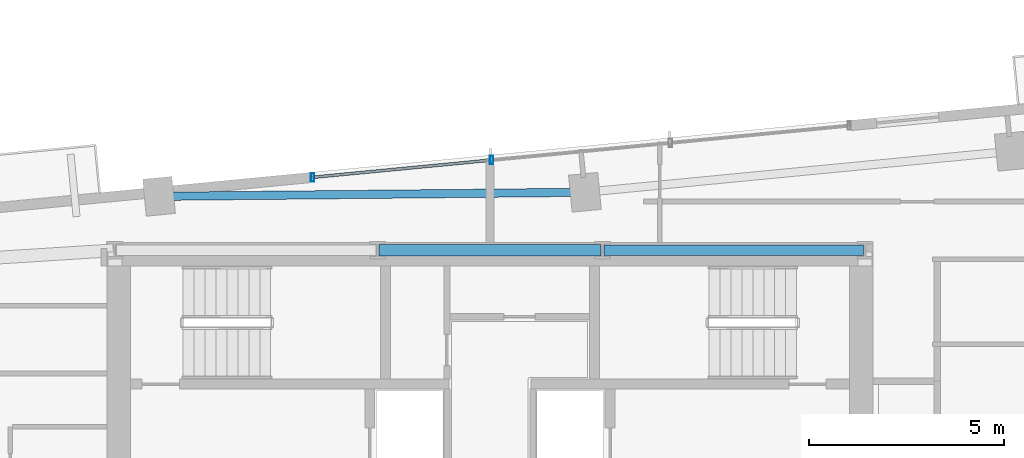
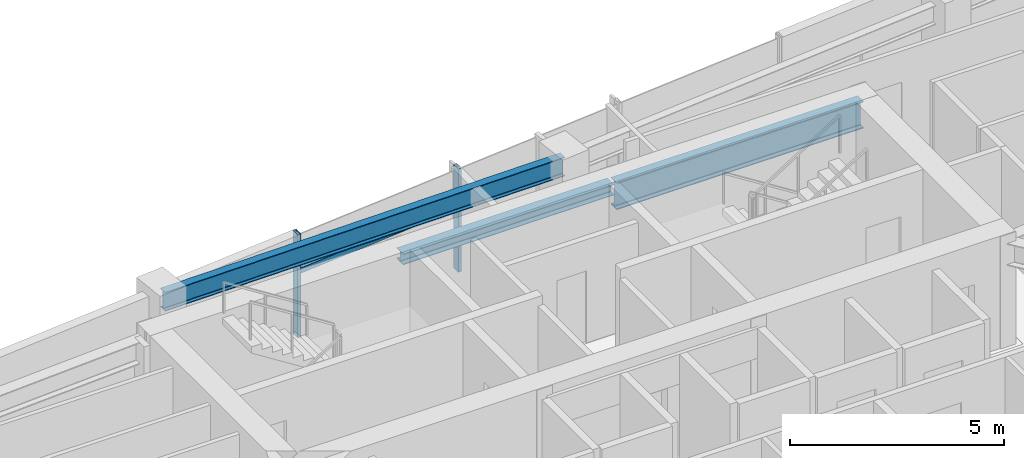
# One storey, part 6 of 18: 3 beams, 3 members, 1 element without a shape of its own.
"""IFC4 building model written with IfcOpenShell, lengths in metres."""

from ifc_helpers import new_model, si_unit, direction, frame, origin, origin_2d, place, context, subcontext, project, spatial, hollow_rectangle, i_section, extrude, source, transform, mapped, material, material_profile, profile_set, type_object, type_shapes, element, aggregate, save


model = new_model("IFC4")

# Units and contexts
model_context = context("Model", 3, precision=1e-05, world=origin(), true_north=direction((0.0, 1.0)))
body_context = subcontext(model_context, "Body", "Model", "MODEL_VIEW")
ifc_project = project(units=[si_unit("LENGTHUNIT", "METRE"), si_unit("AREAUNIT", "SQUARE_METRE"), si_unit("VOLUMEUNIT", "CUBIC_METRE"), si_unit("PLANEANGLEUNIT", "RADIAN"), si_unit("MASSUNIT", "GRAM", prefix="KILO")], contexts=[model_context])

# Site, building, storey
site_placement = place(None, origin())
site = spatial("IfcSite", under=ifc_project, at=site_placement, CompositionType="ELEMENT")
building_placement = place(site_placement, origin())
building = spatial("IfcBuilding", under=site, at=building_placement, Name="Astriad Promenade Condominiums", CompositionType="ELEMENT")
storey_placement = place(building_placement, frame((0.0, 0.0, 185.800048828125)))
storey = spatial("IfcBuildingStorey", under=building, at=storey_placement, Name="L53", CompositionType="ELEMENT", Elevation=185.800048828125)

# Beams
ifc_material_1 = material(Name="Steel ASTM A992 Grade 50", Category="steel")
ifc_material_profile_1 = material_profile(ifc_material_1, i_section(OverallWidth=0.267822265625, OverallDepth=0.76953125, WebThickness=0.015625, FlangeThickness=0.025390625, FilletRadius=0.021484375, at=origin_2d()), Name="W30X132")
ifc_profile_set_1 = profile_set([ifc_material_profile_1], Name="Steel ASTM A992 Grade 50")
beam_type_1 = type_object("IfcBeamType", Name="STEEL FLOOR GIRDER W30X132", PredefinedType="BEAM", material=ifc_profile_set_1)
shared_shape_1 = source(origin(), body_context, "Body", "SweptSolid", [
    extrude(i_section(OverallWidth=0.267822265625, OverallDepth=0.76953125, WebThickness=0.015625, FlangeThickness=0.025390625, FilletRadius=0.021484375, at=origin_2d()), origin(), (0.0, 0.0, 1.0), 6.64013671875),
])
type_shapes(beam_type_1, [shared_shape_1])
beam_1_placement = place(storey_placement, frame((38.919921875, 24.0, 2.55517578125), z_axis=(1.0, 0.0, 0.0), x_axis=(0.0, 1.0, 0.0)))
element("IfcBeam", 1, at=beam_1_placement, inside=storey, type_object=beam_type_1, Name="Core Ring Beam CG-N3-L53", PredefinedType="BEAM", context=body_context, shape_type="MappedRepresentation", body=[
    mapped(shared_shape_1, transform((0.0, 0.0, 0.0), scale=1.0)),
])
ifc_material_profile_2 = material_profile(ifc_material_1, i_section(OverallWidth=0.3046875, OverallDepth=0.307861328125, WebThickness=0.010009765625, FlangeThickness=0.015380859375, FilletRadius=0.01513671875, at=origin_2d()), Name="W12X65")
ifc_profile_set_2 = profile_set([ifc_material_profile_2], Name="Steel ASTM A992 Grade 50")
beam_type_2 = type_object("IfcBeamType", Name="STEEL OPENING LINTEL W12X65", PredefinedType="LINTEL", material=ifc_profile_set_2)
shared_shape_2 = source(origin(), body_context, "Body", "SweptSolid", [
    extrude(i_section(OverallWidth=0.3046875, OverallDepth=0.307861328125, WebThickness=0.010009765625, FlangeThickness=0.015380859375, FilletRadius=0.01513671875, at=origin_2d()), origin(), (0.0, 0.0, 1.0), 5.68017578125),
])
type_shapes(beam_type_2, [shared_shape_2])
beam_2_placement = place(storey_placement, frame((33.159912109375, 24.0, 2.7861328125), z_axis=(1.0, 0.0, 0.0), x_axis=(0.0, 1.0, 0.0)))
element("IfcBeam", 2, at=beam_2_placement, inside=storey, type_object=beam_type_2, Name="Core Ring Beam CG-N2-L53", PredefinedType="LINTEL", context=body_context, shape_type="MappedRepresentation", body=[
    mapped(shared_shape_2, transform((0.0, 0.0, 0.0), scale=1.0)),
])
ifc_material_profile_3 = material_profile(ifc_material_1, i_section(OverallWidth=0.210693359375, OverallDepth=0.53955078125, WebThickness=0.01171875, FlangeThickness=0.018798828125, FilletRadius=0.0166015625, at=origin_2d()), Name="W21X73")
ifc_profile_set_3 = profile_set([ifc_material_profile_3], Name="Steel ASTM A992 Grade 50")
beam_type_3 = type_object("IfcBeamType", Name="STEEL SPANDREL BEAM W21X73", PredefinedType="SPANDREL", material=ifc_profile_set_3)
shared_shape_3 = source(origin(), body_context, "Body", "SweptSolid", [
    extrude(i_section(OverallWidth=0.210693359375, OverallDepth=0.53955078125, WebThickness=0.01171875, FlangeThickness=0.018798828125, FilletRadius=0.0166015625, at=origin_2d()), origin(), (0.0, 0.0, 1.0), 10.820068359375),
])
type_shapes(beam_type_3, [shared_shape_3])
beam_3_placement = place(storey_placement, frame((38.391357421875, 25.482666015625, 2.670166015625), z_axis=(-0.999955308161, -0.009454188553, 0.0), x_axis=(0.009454188553, -0.999955308161, 0.0)))
element("IfcBeam", 3, at=beam_3_placement, inside=storey, type_object=beam_type_3, Name="Perimeter Spandrel Beam SP-N2-L53", PredefinedType="SPANDREL", context=body_context, shape_type="MappedRepresentation", body=[
    mapped(shared_shape_3, transform((0.0, 0.0, 0.0), scale=1.0)),
])

# Curtain wall, members
ifc_material_2 = material(Name="Anodised aluminium Black Dark Glass Unitised", Category="aluminium")
curtain_wall_type = type_object("IfcCurtainWallType", Name="CW-B34-DARK", PredefinedType="USERDEFINED", material=ifc_material_2)
curtain_wall_placement = place(storey_placement, origin())
curtain_wall = element("IfcCurtainWall", 4, at=curtain_wall_placement, inside=storey, type_object=curtain_wall_type, Name="CW-L53-N", ObjectType="UNITISED_CURTAIN_WALL", PredefinedType="USERDEFINED")
ifc_material_3 = material(Name="Anodised aluminium 6063-T6 Black", Category="aluminium")
ifc_material_profile_4 = material_profile(ifc_material_3, hollow_rectangle(XDim=0.0849609375, YDim=0.219970703125, WallThickness=0.0048828125, at=origin_2d()), Name="ALU-MUL-85X220")
ifc_profile_set_4 = profile_set([ifc_material_profile_4], Name="Anodised aluminium 6063-T6 Black")
member_type_1 = type_object("IfcMemberType", Name="MUL-ALU-MUL-85X220", PredefinedType="MULLION", material=ifc_profile_set_4)
shared_shape_4 = source(origin(), body_context, "Body", "SweptSolid", [
    extrude(hollow_rectangle(XDim=0.0849609375, YDim=0.219970703125, WallThickness=0.0048828125, at=origin_2d()), origin(), (0.0, 0.0, 1.0), 2.93994140625),
])
type_shapes(member_type_1, [shared_shape_4])
member_1_placement = place(storey_placement, frame((31.46240234375, 25.866943359375, 0.0), z_axis=(0.0, 0.0, 1.0), x_axis=(1.0, 0.0, 0.0)))
member_1 = element("IfcMember", 5, at=member_1_placement, type_object=member_type_1, Name="CW-L53-N-MUL-00", PredefinedType="MULLION", context=body_context, shape_type="MappedRepresentation", body=[
    mapped(shared_shape_4, transform((0.0, 0.0, 0.0), scale=1.0)),
])
member_2_placement = place(storey_placement, frame((36.041259765625, 26.307861328125, 0.0), z_axis=(0.0, 0.0, 1.0), x_axis=(1.0, 0.0, 0.0)))
member_2 = element("IfcMember", 6, at=member_2_placement, type_object=member_type_1, Name="CW-L53-N-MUL-01", PredefinedType="MULLION", context=body_context, shape_type="MappedRepresentation", body=[
    mapped(shared_shape_4, transform((0.0, 0.0, 0.0), scale=1.0)),
])
ifc_material_profile_5 = material_profile(ifc_material_3, hollow_rectangle(XDim=0.074951171875, YDim=0.14990234375, WallThickness=0.004150390625, at=origin_2d()), Name="ALU-TRN-75X150")
ifc_profile_set_5 = profile_set([ifc_material_profile_5], Name="Anodised aluminium 6063-T6 Black")
member_type_2 = type_object("IfcMemberType", Name="TRN-ALU-TRN-75X150", PredefinedType="USERDEFINED", material=ifc_profile_set_5)
shared_shape_5 = source(origin(), body_context, "Body", "SweptSolid", [
    extrude(hollow_rectangle(XDim=0.074951171875, YDim=0.14990234375, WallThickness=0.004150390625, at=origin_2d()), origin(), (0.0, 0.0, 1.0), 4.60009765625),
])
type_shapes(member_type_2, [shared_shape_5])
member_3_placement = place(storey_placement, frame((31.46240234375, 25.866943359375, 1.82275390625), z_axis=(0.995395697572, 0.095850953336, 0.0), x_axis=(-0.095850953336, 0.995395697572, 0.0)))
member_3 = element("IfcMember", 7, at=member_3_placement, type_object=member_type_2, Name="CW-L53-N-TRN-00-0", ObjectType="TRANSOM", PredefinedType="USERDEFINED", context=body_context, shape_type="MappedRepresentation", body=[
    mapped(shared_shape_5, transform((0.0, 0.0, 0.0), scale=1.0)),
])
aggregate(curtain_wall, [member_1, member_2, member_3])

save(model, "model.ifc")
